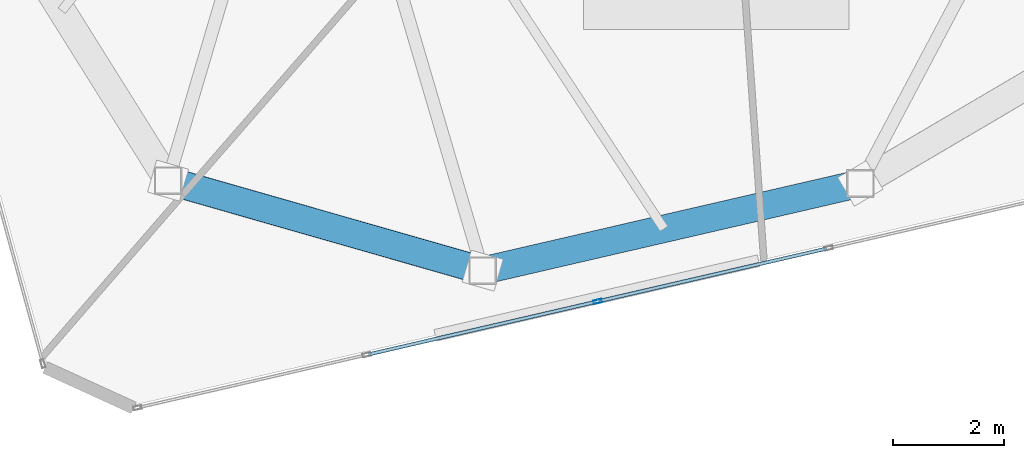
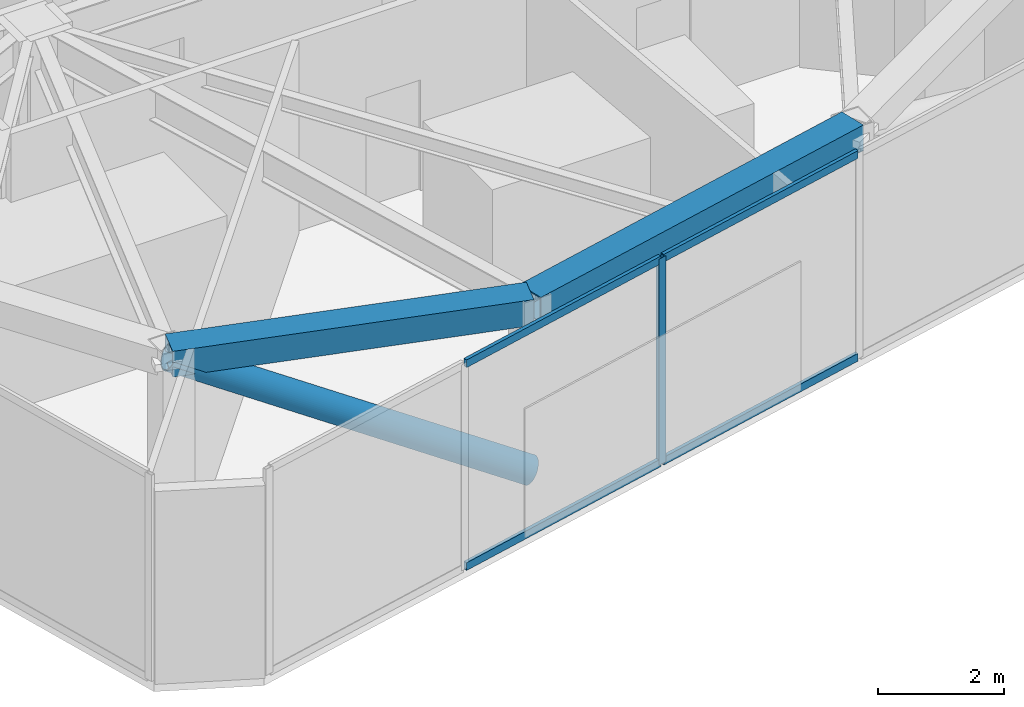
# One storey, part 3 of 20: 6 members, 2 beams, 1 element without a shape of its own.
"""IFC4 building model written with IfcOpenShell, lengths in metres."""

from ifc_helpers import new_model, si_unit, direction, frame, origin, origin_2d, place, context, subcontext, project, spatial, hollow_rectangle, hollow_circle, extrude, source, transform, mapped, material, layer, layer_set, material_profile, profile_set, type_object, type_shapes, element, aggregate, save


model = new_model("IFC4")

# Units and contexts
model_context = context("Model", 3, precision=1e-05, world=origin(), true_north=direction((0.0, 1.0)))
body_context = subcontext(model_context, "Body", "Model", "MODEL_VIEW")
ifc_project = project(units=[si_unit("LENGTHUNIT", "METRE"), si_unit("AREAUNIT", "SQUARE_METRE"), si_unit("VOLUMEUNIT", "CUBIC_METRE"), si_unit("PLANEANGLEUNIT", "RADIAN"), si_unit("MASSUNIT", "GRAM", prefix="KILO")], contexts=[model_context])

# Site, building, storey
site_placement = place(None, origin())
site = spatial("IfcSite", under=ifc_project, at=site_placement, CompositionType="ELEMENT")
building_placement = place(site_placement, origin())
building = spatial("IfcBuilding", under=site, at=building_placement, Name="Talar Marvaseh", CompositionType="ELEMENT")
storey_placement = place(building_placement, frame((0.0, 0.0, 312.0)))
storey = spatial("IfcBuildingStorey", under=building, at=storey_placement, Name="L83", CompositionType="ELEMENT", Elevation=312.0)

# Beams
ifc_material_1 = material(Name="Steel S460", Category="steel")
ifc_material_profile_1 = material_profile(ifc_material_1, hollow_rectangle(XDim=0.5, YDim=0.5, WallThickness=0.02490234375, at=origin_2d()), Name="BOX500x500x25")
ifc_profile_set_1 = profile_set([ifc_material_profile_1], Name="Steel S460")
beam_type = type_object("IfcBeamType", Name="Crown Frame Top Ring Beam BOX500x500x25", PredefinedType="BEAM", material=ifc_profile_set_1)
beam_1_placement = place(storey_placement, frame((28.60498046875, 16.616943359375, 3.47509765625), z_axis=(-0.974361245946, -0.22498924952, 0.0), x_axis=(0.22498924952, -0.974361245946, 0.0)))
element("IfcBeam", 1, at=beam_1_placement, inside=storey, type_object=beam_type, Name="L83 Crown Frame Top Ring Beam BOX500x500x25", PredefinedType="BEAM", context=body_context, shape_type="SweptSolid", body=[
    extrude(hollow_rectangle(XDim=0.5, YDim=0.5, WallThickness=0.02490234375, at=origin_2d()), origin(), (0.0, 0.0, 1.0), 7.0087890625),
])
beam_2_placement = place(storey_placement, frame((21.77587890625, 15.0400390625, 3.47509765625), z_axis=(-0.961411768303, 0.275113452538, 0.0), x_axis=(-0.275113452538, -0.961411768303, 0.0)))
element("IfcBeam", 2, at=beam_2_placement, inside=storey, type_object=beam_type, Name="L83 Crown Frame Top Ring Beam BOX500x500x25", PredefinedType="BEAM", context=body_context, shape_type="SweptSolid", body=[
    extrude(hollow_rectangle(XDim=0.5, YDim=0.5, WallThickness=0.02490234375, at=origin_2d()), origin(), (0.0, 0.0, 1.0), 5.917236328125),
])

# Member
ifc_material_profile_2 = material_profile(ifc_material_1, hollow_circle(Radius=0.25390625, WallThickness=0.02001953125, at=origin_2d()), Name="CHS508x20")
ifc_profile_set_2 = profile_set([ifc_material_profile_2], Name="Steel S460")
member_type_1 = type_object("IfcMemberType", Name="Crown Frame Diagonal Brace CHS508x20", PredefinedType="BRACE", material=ifc_profile_set_2)
shared_shape_1 = source(origin(), body_context, "Body", "SweptSolid", [
    extrude(hollow_circle(Radius=0.25390625, WallThickness=0.02001953125, at=origin_2d()), origin(), (0.0, 0.0, 1.0), 6.739013671875),
])
type_shapes(member_type_1, [shared_shape_1])
member_1_placement = place(storey_placement, frame((21.77587890625, 15.0400390625, 0.25), z_axis=(-0.844170352888, 0.241564153852, 0.478563658126), x_axis=(-0.275113452538, -0.961411768303, 0.0)))
element("IfcMember", 3, at=member_1_placement, inside=storey, type_object=member_type_1, Name="L83 Crown Frame Diagonal Brace 11", PredefinedType="BRACE", context=body_context, shape_type="MappedRepresentation", body=[
    mapped(shared_shape_1, transform((0.0, 0.0, 0.0), x_axis=(1.0, 0.0, 0.0), y_axis=(0.0, 1.0, 0.0), z_axis=(0.0, 0.0, 1.0), scale=1.0)),
])

# Curtain wall, members
ifc_material_2 = material(Name="Architectural Aluminium", Category="aluminium")
ifc_layer = layer(ifc_material_2, 0.2099609375)
ifc_layer_set = layer_set([ifc_layer], Name="Architectural Aluminium")
curtain_wall_type = type_object("IfcCurtainWallType", Name="Crown Plant Acoustic Spandrel Curtain Wall", PredefinedType="NOTDEFINED", material=ifc_layer_set)
curtain_wall_placement = place(storey_placement, origin())
curtain_wall = element("IfcCurtainWall", 4, at=curtain_wall_placement, inside=storey, type_object=curtain_wall_type, Name="L83 Crown Plant Acoustic Spandrel Curtain Wall", PredefinedType="NOTDEFINED")
ifc_material_profile_3 = material_profile(ifc_material_2, hollow_rectangle(XDim=0.06494140625, YDim=0.14990234375, WallThickness=0.00390625, at=origin_2d()), Name="RHS150x65x4")
ifc_profile_set_3 = profile_set([ifc_material_profile_3], Name="Architectural Aluminium")
member_type_2 = type_object("IfcMemberType", Name="Unitised Curtain Wall Slim Transom RHS150x65x4", PredefinedType="USERDEFINED", material=ifc_profile_set_3)
shared_shape_2 = source(origin(), body_context, "Body", "SweptSolid", [
    extrude(hollow_rectangle(XDim=0.06494140625, YDim=0.14990234375, WallThickness=0.00390625, at=origin_2d()), origin(), (0.0, 0.0, 1.0), 4.22119140625),
])
type_shapes(member_type_2, [shared_shape_2])
member_2_placement = place(storey_placement, frame((28.000244140625, 15.44091796875, 0.032470703125), z_axis=(-0.974334626875, -0.225104497673, 0.0), x_axis=(0.225104497673, -0.974334626875, 0.0)))
member_2 = element("IfcMember", 5, at=member_2_placement, type_object=member_type_2, Name="CW-CRN transom 2.1", ObjectType="TRANSOM", PredefinedType="USERDEFINED", context=body_context, shape_type="MappedRepresentation", body=[
    mapped(shared_shape_2, transform((0.0, 0.0, 0.0), x_axis=(1.0, 0.0, 0.0), y_axis=(0.0, 1.0, 0.0), z_axis=(0.0, 0.0, 1.0), scale=1.0)),
])
member_3_placement = place(storey_placement, frame((28.000244140625, 15.44091796875, 3.967529296875), z_axis=(-0.974334626875, -0.225104497673, 0.0), x_axis=(0.225104497673, -0.974334626875, 0.0)))
member_3 = element("IfcMember", 6, at=member_3_placement, type_object=member_type_2, Name="CW-CRN transom 2.2", ObjectType="TRANSOM", PredefinedType="USERDEFINED", context=body_context, shape_type="MappedRepresentation", body=[
    mapped(shared_shape_2, transform((0.0, 0.0, 0.0), x_axis=(1.0, 0.0, 0.0), y_axis=(0.0, 1.0, 0.0), z_axis=(0.0, 0.0, 1.0), scale=1.0)),
])
member_4_placement = place(storey_placement, frame((23.823974609375, 14.47607421875, 0.032470703125), z_axis=(-0.974334626875, -0.225104497673, 0.0), x_axis=(0.225104497673, -0.974334626875, 0.0)))
member_4 = element("IfcMember", 7, at=member_4_placement, type_object=member_type_2, Name="CW-CRN transom 3.1", ObjectType="TRANSOM", PredefinedType="USERDEFINED", context=body_context, shape_type="MappedRepresentation", body=[
    mapped(shared_shape_2, transform((0.0, 0.0, 0.0), x_axis=(1.0, 0.0, 0.0), y_axis=(0.0, 1.0, 0.0), z_axis=(0.0, 0.0, 1.0), scale=1.0)),
])
member_5_placement = place(storey_placement, frame((23.823974609375, 14.47607421875, 3.967529296875), z_axis=(-0.974334626875, -0.225104497673, 0.0), x_axis=(0.225104497673, -0.974334626875, 0.0)))
member_5 = element("IfcMember", 8, at=member_5_placement, type_object=member_type_2, Name="CW-CRN transom 3.2", ObjectType="TRANSOM", PredefinedType="USERDEFINED", context=body_context, shape_type="MappedRepresentation", body=[
    mapped(shared_shape_2, transform((0.0, 0.0, 0.0), x_axis=(1.0, 0.0, 0.0), y_axis=(0.0, 1.0, 0.0), z_axis=(0.0, 0.0, 1.0), scale=1.0)),
])
ifc_material_profile_4 = material_profile(ifc_material_2, hollow_rectangle(XDim=0.06494140625, YDim=0.14990234375, WallThickness=0.00390625, at=origin_2d()), Name="RHS150x65x4")
ifc_profile_set_4 = profile_set([ifc_material_profile_4], Name="Architectural Aluminium")
member_type_3 = type_object("IfcMemberType", Name="Unitised Curtain Wall Slim Mullion RHS150x65x4", PredefinedType="MULLION", material=ifc_profile_set_4)
shared_shape_3 = source(origin(), body_context, "Body", "SweptSolid", [
    extrude(hollow_rectangle(XDim=0.06494140625, YDim=0.14990234375, WallThickness=0.00390625, at=origin_2d()), origin(), (0.0, 0.0, 1.0), 4.0),
])
type_shapes(member_type_3, [shared_shape_3])
member_6_placement = place(storey_placement, frame((23.855712890625, 14.4833984375, 0.0), z_axis=(0.0, 0.0, 1.0), x_axis=(0.225103157943, -0.974334936397, 0.0)))
member_6 = element("IfcMember", 9, at=member_6_placement, type_object=member_type_3, Name="CW-CRN mullion 3", PredefinedType="MULLION", context=body_context, shape_type="MappedRepresentation", body=[
    mapped(shared_shape_3, transform((0.0, 0.0, 0.0), x_axis=(1.0, 0.0, 0.0), y_axis=(0.0, 1.0, 0.0), z_axis=(0.0, 0.0, 1.0), scale=1.0)),
])
aggregate(curtain_wall, [member_6, member_2, member_3, member_4, member_5])

save(model, "model.ifc")
